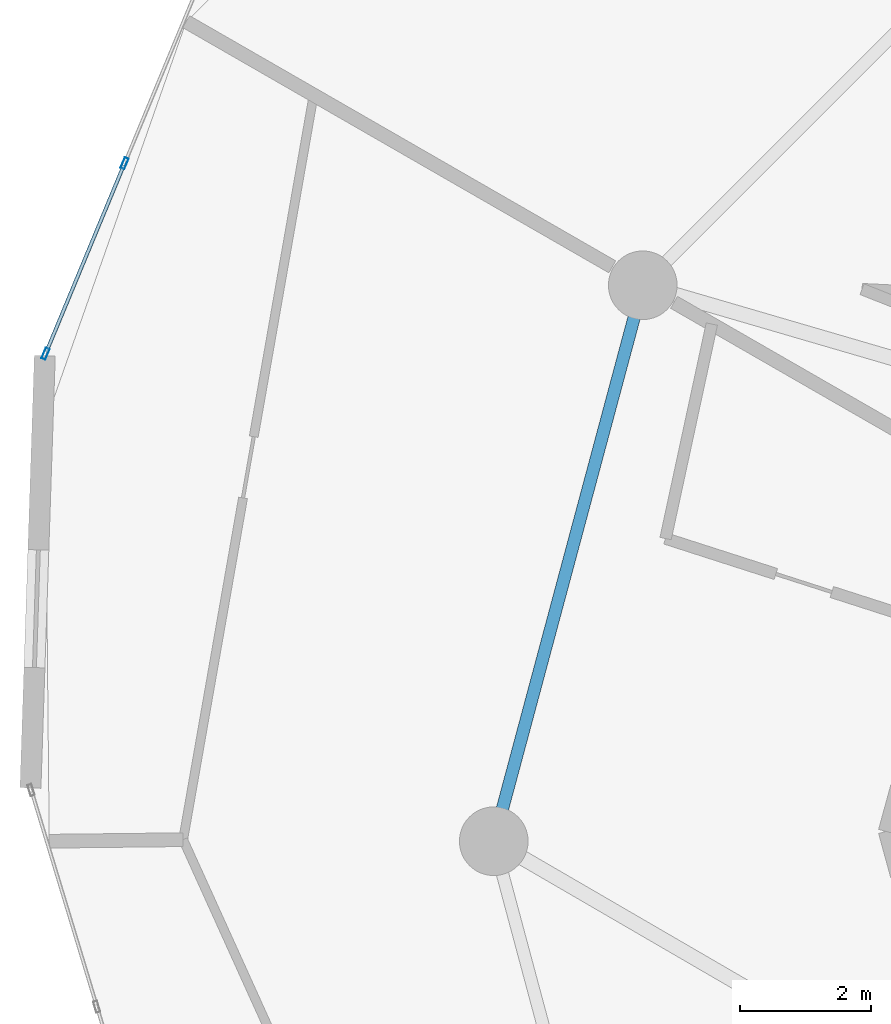
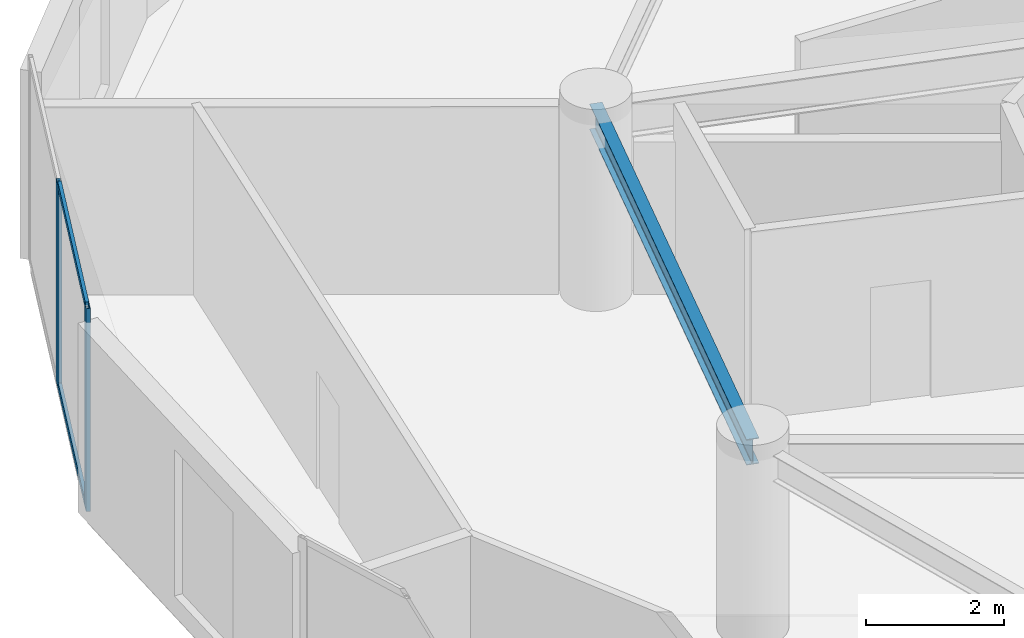
# One storey, part 8 of 26: 4 members, 1 beam, 1 element without a shape of its own.
"""IFC4 building model written with IfcOpenShell, lengths in metres."""

import ifcopenshell
import ifcopenshell.guid

model = None  # the IFC model being written
_history = None  # IfcOwnerHistory: only IFC2X3 demands one
_inside = {}  # id of a spatial element -> (the spatial element, [elements in it])
_under = {}  # id of a project, library or spatial element -> (it, [spatial elements below it])
_declared = {}  # id of a project -> (the project, [libraries it declares])
_typed = {}  # id of a type object -> (the type object, [elements of that type])
_made_of = {}  # id of a material, layer set ... -> (it, [elements and type objects made of it])


def new_model(schema):
    """Start an empty IFC model of exactly this schema.

    Asked for "IFC4X3", IfcOpenShell would pick the latest addendum, in which some entities
    have other attributes; the version numbers below select the first issue.
    IFC2X3 requires an IfcOwnerHistory on every rooted entity: one is made here for all.
    """
    global model, _history
    if schema == "IFC4X3":
        model = ifcopenshell.file(schema_version=(4, 3, 0, 0))
    else:
        model = ifcopenshell.file(schema=schema)
    _inside.clear()
    _under.clear()
    _declared.clear()
    _typed.clear()
    _made_of.clear()
    _history = None
    if model.schema == "IFC2X3":
        org = make("IfcOrganization", Name="unknown")
        user = make(
            "IfcPersonAndOrganization",
            ThePerson=make("IfcPerson", FamilyName="unknown"),
            TheOrganization=org,
        )
        app = make(
            "IfcApplication",
            ApplicationDeveloper=org,
            Version="unknown",
            ApplicationFullName="unknown",
            ApplicationIdentifier="unknown",
        )
        _history = make(
            "IfcOwnerHistory",
            OwningUser=user,
            OwningApplication=app,
            ChangeAction="ADDED",
            CreationDate=0,
        )
    return model


def make(cls, **values):
    """One entity of the class cls with the attributes given. An attribute that is None is left unset."""
    return model.create_entity(
        cls, **{name: value for name, value in values.items() if value is not None}
    )


def rooted(cls, **values):
    """An entity with a GlobalId (a new one), such as an element, a storey or a relation."""
    return make(cls, GlobalId=ifcopenshell.guid.new(), OwnerHistory=_history, **values)


def si_unit(unit_type, name, prefix=None):
    """IfcSIUnit, for example si_unit("LENGTHUNIT", "METRE", prefix="MILLI")."""
    return make("IfcSIUnit", UnitType=unit_type, Prefix=prefix, Name=name)


def assignment(units):
    """IfcUnitAssignment: the units of a project."""
    return None if units is None else make("IfcUnitAssignment", Units=units)


def point(xyz):
    """IfcCartesianPoint."""
    return None if xyz is None else make("IfcCartesianPoint", Coordinates=xyz)


def direction(xyz):
    """IfcDirection."""
    return None if xyz is None else make("IfcDirection", DirectionRatios=xyz)


def frame(location, z_axis=None, x_axis=None):
    """IfcAxis2Placement3D, a coordinate frame: its origin and axes. An axis left out is left unset."""
    return make(
        "IfcAxis2Placement3D",
        Location=point(location),
        Axis=direction(z_axis),
        RefDirection=direction(x_axis),
    )


def frame_2d(location, x_axis=None):
    """IfcAxis2Placement2D, a coordinate frame in the plane: its origin and x axis."""
    return make(
        "IfcAxis2Placement2D", Location=point(location), RefDirection=direction(x_axis)
    )


def origin():
    """The frame at (0, 0, 0) with its axes left unset."""
    return frame((0.0, 0.0, 0.0))


def origin_2d():
    """The frame at (0, 0) in the plane with its x axis left unset."""
    return frame_2d((0.0, 0.0))


def place(relative_to, where):
    """IfcLocalPlacement: puts the frame where relative to a parent placement (None: the world)."""
    return make(
        "IfcLocalPlacement", PlacementRelTo=relative_to, RelativePlacement=where
    )


def context(
    kind, dimensions, precision=None, world=None, true_north=None, identifier=None
):
    """IfcGeometricRepresentationContext, for example the 3D "Model" context."""
    return make(
        "IfcGeometricRepresentationContext",
        ContextIdentifier=identifier,
        ContextType=kind,
        CoordinateSpaceDimension=dimensions,
        Precision=precision,
        WorldCoordinateSystem=world,
        TrueNorth=true_north,
    )


def subcontext(parent, identifier, kind, view, scale=None):
    """IfcGeometricRepresentationSubContext, for example "Body" below "Model"."""
    return make(
        "IfcGeometricRepresentationSubContext",
        ContextIdentifier=identifier,
        ContextType=kind,
        ParentContext=parent,
        TargetScale=scale,
        TargetView=view,
    )


def project(units=None, contexts=None):
    """IfcProject with its units and contexts."""
    return rooted(
        "IfcProject",
        Name="project",
        RepresentationContexts=contexts,
        UnitsInContext=assignment(units),
    )


def spatial(cls, under=None, at=None, **own):
    """A site, building, storey or space (cls), placed at a placement, below another one or the project."""
    s = rooted(cls, ObjectPlacement=at, **own)
    if under is not None:
        _under.setdefault(under.id(), (under, []))[1].append(s)
    return s


def profile(cls, at=None, kind="AREA", **sizes):
    """A parametric profile (cls). Its sizes go by their IFC names, for example OverallWidth=200.0."""
    return make(cls, ProfileType=kind, Position=at, **sizes)


def hollow_rectangle(**sizes):
    """IfcRectangleHollowProfileDef."""
    return profile("IfcRectangleHollowProfileDef", **sizes)


def i_section(**sizes):
    """IfcIShapeProfileDef."""
    return profile("IfcIShapeProfileDef", **sizes)


def extrude(swept, where, along, depth):
    """IfcExtrudedAreaSolid: the profile swept, set in the frame where, extruded along a direction by depth."""
    return make(
        "IfcExtrudedAreaSolid",
        SweptArea=swept,
        Position=where,
        ExtrudedDirection=direction(along),
        Depth=depth,
    )


def shape(context_of_items, identifier, shape_type, items):
    """IfcShapeRepresentation: the items that make up one representation, for example the "Body"."""
    return make(
        "IfcShapeRepresentation",
        ContextOfItems=context_of_items,
        RepresentationIdentifier=identifier,
        RepresentationType=shape_type,
        Items=items,
    )


def source(mapping_origin, context_of_items, identifier, shape_type, items):
    """IfcRepresentationMap: a shape defined once, which mapped items show again and again."""
    return make(
        "IfcRepresentationMap",
        MappingOrigin=mapping_origin,
        MappedRepresentation=shape(context_of_items, identifier, shape_type, items),
    )


def transform(
    local_origin,
    x_axis=None,
    y_axis=None,
    z_axis=None,
    scale=None,
    scale2=None,
    scale3=None,
    uniform=True,
):
    """IfcCartesianTransformationOperator3D, or its non-uniform kind. x_axis, y_axis, z_axis: its Axis1, 2, 3."""
    if uniform:
        return make(
            "IfcCartesianTransformationOperator3D",
            Axis1=direction(x_axis),
            Axis2=direction(y_axis),
            LocalOrigin=point(local_origin),
            Scale=scale,
            Axis3=direction(z_axis),
        )
    return make(
        "IfcCartesianTransformationOperator3DnonUniform",
        Axis1=direction(x_axis),
        Axis2=direction(y_axis),
        LocalOrigin=point(local_origin),
        Scale=scale,
        Axis3=direction(z_axis),
        Scale2=scale2,
        Scale3=scale3,
    )


def mapped(mapping_source, mapping_target):
    """IfcMappedItem: shows the shape of a source again, moved by a transform."""
    return make(
        "IfcMappedItem", MappingSource=mapping_source, MappingTarget=mapping_target
    )


def material(Name=None, Category=None):
    """IfcMaterial."""
    return make("IfcMaterial", Name=Name, Category=Category)


def layer(
    of_material, thickness, ventilated=None, Name=None, Category=None, Priority=None
):
    """IfcMaterialLayer: one layer of a wall or slab, of a material (None: an air gap)."""
    return make(
        "IfcMaterialLayer",
        Material=of_material,
        LayerThickness=thickness,
        IsVentilated=ventilated,
        Name=Name,
        Category=Category,
        Priority=Priority,
    )


def layer_set(layers, Name=None):
    """IfcMaterialLayerSet."""
    return make("IfcMaterialLayerSet", MaterialLayers=layers, LayerSetName=Name)


def material_profile(
    of_material, cross_section, Name=None, Category=None, Priority=None
):
    """IfcMaterialProfile: a cross section and its material."""
    return make(
        "IfcMaterialProfile",
        Name=Name,
        Material=of_material,
        Profile=cross_section,
        Priority=Priority,
        Category=Category,
    )


def profile_set(profiles, Name=None, composite=None):
    """IfcMaterialProfileSet."""
    return make(
        "IfcMaterialProfileSet",
        Name=Name,
        MaterialProfiles=profiles,
        CompositeProfile=composite,
    )


def made_of(thing, what):
    """Note that an element or type object is made of a material, layer set ...; save() writes the relation."""
    if what is not None:
        _made_of.setdefault(what.id(), (what, []))[1].append(thing)
    return thing


def type_object(cls, material=None, **own):
    """A type object (cls), such as IfcWallType, which elements share."""
    return made_of(rooted(cls, **own), material)


def element(
    cls,
    number,
    at=None,
    inside=None,
    cuts=None,
    type_object=None,
    material=None,
    context=None,
    identifier="Body",
    shape_type=None,
    held_by="IfcProductDefinitionShape",
    body=None,
    shapes=None,
    **own,
):
    """One element of the class cls, such as IfcWall. Its Tag is "e" and its number.

    at: its placement. inside: the storey or other place that contains it. cuts: it is an
    opening in that element (IfcRelVoidsElement). A single representation is given by context,
    identifier, shape_type and body (its items); several are given by shapes. held_by: the class
    of the entity that holds the representations. save() writes the other relations.
    """
    e = rooted(cls, Tag="e%d" % number, ObjectPlacement=at, **own)
    if body is not None:
        shapes = [shape(context, identifier, shape_type, body)]
    if shapes is not None:
        e.Representation = make(held_by, Representations=shapes)
    if inside is not None:
        _inside.setdefault(inside.id(), (inside, []))[1].append(e)
    if cuts is not None:
        rooted(
            "IfcRelVoidsElement", RelatingBuildingElement=cuts, RelatedOpeningElement=e
        )
    if type_object is not None:
        _typed.setdefault(type_object.id(), (type_object, []))[1].append(e)
    return made_of(e, material)


def aggregate(whole, parts):
    """IfcRelAggregates: a whole, such as a stair, and the parts it consists of."""
    return rooted("IfcRelAggregates", RelatingObject=whole, RelatedObjects=parts)


def save(model, path):
    """Write the relations noted so far, then the file.

    IfcRelAggregates (storeys below a building ...), IfcRelContainedInSpatialStructure (elements
    in a storey), IfcRelDefinesByType, IfcRelAssociatesMaterial and IfcRelDeclares: one each for
    every whole, place, type object, material and project.
    """
    for whole, parts in _under.values():
        aggregate(whole, parts)
    for where, things in _inside.values():
        rooted(
            "IfcRelContainedInSpatialStructure",
            RelatedElements=things,
            RelatingStructure=where,
        )
    for kind, things in _typed.values():
        rooted("IfcRelDefinesByType", RelatedObjects=things, RelatingType=kind)
    for what, things in _made_of.values():
        rooted("IfcRelAssociatesMaterial", RelatedObjects=things, RelatingMaterial=what)
    for by, libraries in _declared.values():
        rooted("IfcRelDeclares", RelatingContext=by, RelatedDefinitions=libraries)
    model.write(path)


model = new_model("IFC4")

# Units and contexts
model_context = context("Model", 3, precision=1e-05, world=origin(), true_north=direction((0.0, 1.0)))
body_context = subcontext(model_context, "Body", "Model", "MODEL_VIEW")
ifc_project = project(units=[si_unit("LENGTHUNIT", "METRE"), si_unit("AREAUNIT", "SQUARE_METRE"), si_unit("VOLUMEUNIT", "CUBIC_METRE"), si_unit("PLANEANGLEUNIT", "RADIAN"), si_unit("MASSUNIT", "GRAM", prefix="KILO")], contexts=[model_context])

# Site, building, storey
site_placement = place(None, origin())
site = spatial("IfcSite", under=ifc_project, at=site_placement, CompositionType="ELEMENT")
building_placement = place(site_placement, origin())
building = spatial("IfcBuilding", under=site, at=building_placement, Name="Solvirekh Grand Hotel", CompositionType="ELEMENT")
storey_placement = place(building_placement, frame((0.0, 0.0, 113.39990234375)))
storey = spatial("IfcBuildingStorey", under=building, at=storey_placement, Name="L28", CompositionType="ELEMENT", Elevation=113.39990234375)

# Beam
ifc_material_1 = material(Name="Steel S355", Category="steel")
ifc_material_profile_1 = material_profile(ifc_material_1, i_section(OverallWidth=0.18994140625, OverallDepth=0.45703125, WebThickness=0.009033203125, FlangeThickness=0.013916015625, FilletRadius=0.012939453125, at=origin_2d()), Name="W460X74")
ifc_profile_set_1 = profile_set([ifc_material_profile_1], Name="Steel S355")
beam_type = type_object("IfcBeamType", Name="Spandrel_Ring_W460", PredefinedType="SPANDREL", material=ifc_profile_set_1)
beam_placement = place(storey_placement, frame((-14.721923828125, 8.5, 3.1220703125), z_axis=(-0.258872908946, -0.965911391906, 0.0), x_axis=(0.965911391906, -0.258872908946, 0.0)))
element("IfcBeam", 1, at=beam_placement, inside=storey, type_object=beam_type, Name="L28 perimeter spandrel beam 6", PredefinedType="SPANDREL", context=body_context, shape_type="SweptSolid", body=[
    extrude(i_section(OverallWidth=0.18994140625, OverallDepth=0.45703125, WebThickness=0.009033203125, FlangeThickness=0.013916015625, FilletRadius=0.012939453125, at=origin_2d()), origin(), (0.0, 0.0, 1.0), 8.800048828125),
])

# Curtain wall, members
ifc_material_2 = material(Name="Anodized Bronze Aluminium 6063-T6", Category="aluminium")
ifc_layer = layer(ifc_material_2, 0.175048828125)
ifc_layer_set = layer_set([ifc_layer], Name="Anodized Bronze Aluminium 6063-T6")
curtain_wall_type = type_object("IfcCurtainWallType", Name="CW_Sys3_MidZoneFlushBronzeCW", PredefinedType="NOTDEFINED", material=ifc_layer_set)
curtain_wall_placement = place(storey_placement, origin())
curtain_wall = element("IfcCurtainWall", 2, at=curtain_wall_placement, inside=storey, type_object=curtain_wall_type, Name="L28 unitised bronze-glass curtain wall CW-L28-C11", PredefinedType="NOTDEFINED")
ifc_material_profile_2 = material_profile(ifc_material_2, hollow_rectangle(XDim=0.06494140625, YDim=0.175048828125, WallThickness=0.0048828125, at=origin_2d()), Name="ALU RHS 175X65X5")
ifc_profile_set_2 = profile_set([ifc_material_profile_2], Name="Anodized Bronze Aluminium 6063-T6")
member_type_1 = type_object("IfcMemberType", Name="CWMullion_Sys3", PredefinedType="MULLION", material=ifc_profile_set_2)
shared_shape_1 = source(origin(), body_context, "Body", "SweptSolid", [
    extrude(hollow_rectangle(XDim=0.06494140625, YDim=0.175048828125, WallThickness=0.0048828125, at=origin_2d()), origin(), (0.0, 0.0, 1.0), 3.60009765625),
])
member_1_placement = place(storey_placement, frame((-22.6435546875, 10.365478515625, 0.0), z_axis=(0.0, 0.0, 1.0), x_axis=(0.923647246021, -0.383243740872, 0.0)))
member_1 = element("IfcMember", 3, at=member_1_placement, type_object=member_type_1, Name="U03 mullion 2", PredefinedType="MULLION", context=body_context, shape_type="MappedRepresentation", body=[
    mapped(shared_shape_1, transform((0.0, 0.0, 0.0), x_axis=(1.0, 0.0, 0.0), y_axis=(0.0, 1.0, 0.0), z_axis=(0.0, 0.0, 1.0), scale=1.0)),
])
member_2_placement = place(storey_placement, frame((-23.8515625, 7.4541015625, 0.0), z_axis=(0.0, 0.0, 1.0), x_axis=(0.923647246021, -0.383243740872, 0.0)))
member_2 = element("IfcMember", 4, at=member_2_placement, type_object=member_type_1, Name="U03 mullion 3", PredefinedType="MULLION", context=body_context, shape_type="MappedRepresentation", body=[
    mapped(shared_shape_1, transform((0.0, 0.0, 0.0), x_axis=(1.0, 0.0, 0.0), y_axis=(0.0, 1.0, 0.0), z_axis=(0.0, 0.0, 1.0), scale=1.0)),
])
ifc_material_profile_3 = material_profile(ifc_material_2, hollow_rectangle(XDim=0.054931640625, YDim=0.1201171875, WallThickness=0.00390625, at=origin_2d()), Name="ALU RHS 120X55X4")
ifc_profile_set_3 = profile_set([ifc_material_profile_3], Name="Anodized Bronze Aluminium 6063-T6")
member_type_2 = type_object("IfcMemberType", Name="CWTransom_Sys3", PredefinedType="USERDEFINED", material=ifc_profile_set_3)
shared_shape_2 = source(origin(), body_context, "Body", "SweptSolid", [
    extrude(hollow_rectangle(XDim=0.054931640625, YDim=0.1201171875, WallThickness=0.00390625, at=origin_2d()), origin(), (0.0, 0.0, 1.0), 3.0869140625),
])
member_3_placement = place(storey_placement, frame((-22.656005859375, 10.33544921875, 0.027587890625), z_axis=(-0.383250381214, -0.923644490754, 0.0), x_axis=(0.923644490754, -0.383250381214, 0.0)))
member_3 = element("IfcMember", 5, at=member_3_placement, type_object=member_type_2, Name="U03 transom 2.1", ObjectType="TRANSOM", PredefinedType="USERDEFINED", context=body_context, shape_type="MappedRepresentation", body=[
    mapped(shared_shape_2, transform((0.0, 0.0, 0.0), x_axis=(1.0, 0.0, 0.0), y_axis=(0.0, 1.0, 0.0), z_axis=(0.0, 0.0, 1.0), scale=1.0)),
])
member_4_placement = place(storey_placement, frame((-22.656005859375, 10.33544921875, 3.572509765625), z_axis=(-0.383250381214, -0.923644490754, 0.0), x_axis=(0.923644490754, -0.383250381214, 0.0)))
member_4 = element("IfcMember", 6, at=member_4_placement, type_object=member_type_2, Name="U03 transom 2.2", ObjectType="TRANSOM", PredefinedType="USERDEFINED", context=body_context, shape_type="MappedRepresentation", body=[
    mapped(shared_shape_2, transform((0.0, 0.0, 0.0), x_axis=(1.0, 0.0, 0.0), y_axis=(0.0, 1.0, 0.0), z_axis=(0.0, 0.0, 1.0), scale=1.0)),
])
aggregate(curtain_wall, [member_1, member_2, member_3, member_4])

save(model, "model.ifc")
